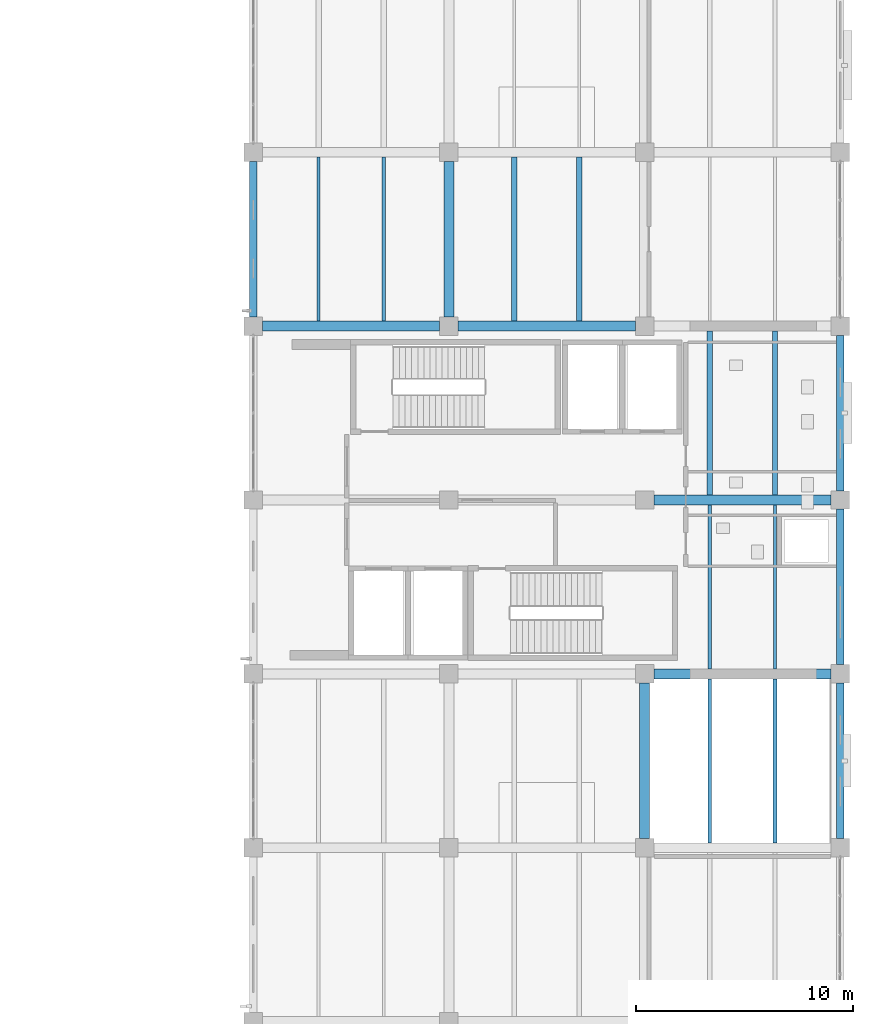
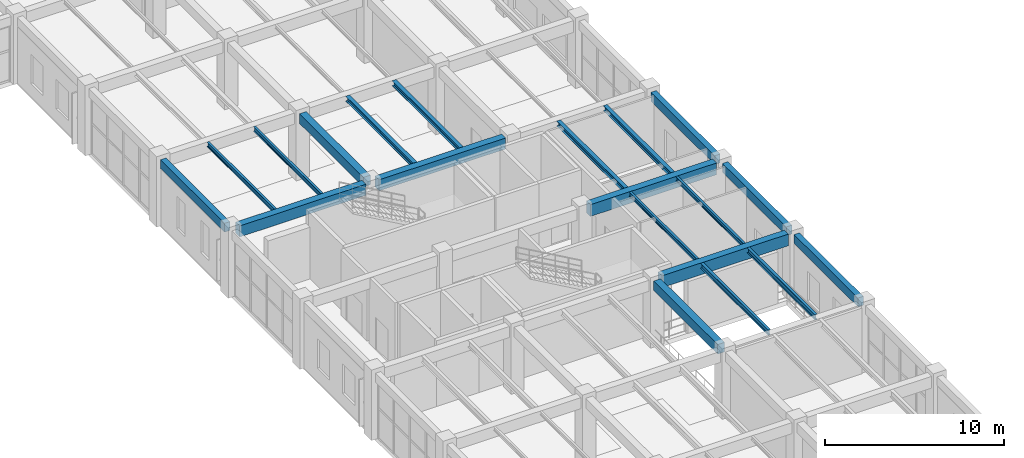
# One storey, part 125 of 178: 20 beams.
"""IFC4 building model written with IfcOpenShell, lengths in metres."""

from ifc_helpers import new_model, si_unit, derived_unit, direction, frame, origin, origin_2d, place, context, subcontext, project, spatial, rectangle, i_section, extrude, material, material_profile, profile_set, type_object, element, save


model = new_model("IFC4")

# Units and contexts
model_context = context("Model", 3, precision=1e-05, world=origin(), true_north=direction((0.0, 1.0)))
body_context = subcontext(model_context, "Body", "Model", "MODEL_VIEW")
ifc_project = project(units=[si_unit("LENGTHUNIT", "METRE"), si_unit("AREAUNIT", "SQUARE_METRE"), si_unit("VOLUMEUNIT", "CUBIC_METRE"), si_unit("PLANEANGLEUNIT", "RADIAN"), si_unit("MASSUNIT", "GRAM", prefix="KILO"), derived_unit("THERMALTRANSMITTANCEUNIT", [(si_unit("MASSUNIT", "GRAM", prefix="KILO"), 1), (si_unit("TIMEUNIT", "SECOND"), -3), (si_unit("THERMODYNAMICTEMPERATUREUNIT", "KELVIN"), -1)])], contexts=[model_context])

# Site, building, storey
site_placement = place(None, origin())
site = spatial("IfcSite", under=ifc_project, at=site_placement, CompositionType="ELEMENT")
building_placement = place(site_placement, origin())
building = spatial("IfcBuilding", under=site, at=building_placement, Name="Zhenchuan Archway Interchange", CompositionType="ELEMENT")
storey_placement = place(building_placement, frame((0.0, 0.0, 5.39990234375)))
storey = spatial("IfcBuildingStorey", under=building, at=storey_placement, Name="L01", CompositionType="ELEMENT", Elevation=5.39990234375)

# Beams
ifc_material_1 = material(Name="Concrete C40", Category="concrete")
ifc_material_profile_1 = material_profile(ifc_material_1, rectangle(XDim=0.449951171875, YDim=0.64990234375, at=origin_2d()), Name="RC 450x650")
ifc_profile_set_1 = profile_set([ifc_material_profile_1], Name="Concrete C40")
beam_type_1 = type_object("IfcBeamType", Name="BM_RC_450x650", PredefinedType="BEAM", material=ifc_profile_set_1)
for number, where, z_axis, x_axis, name in (
    (1, (153.0, 64.425048828125, 4.18505859375), (0.0, 1.0, 0.0), (-1.0, 0.0, 0.0), "Beam 18:J-K (L01)"),
    (2, (162.0, 40.425048828125, 4.18505859375), (0.0, 1.0, 0.0), (-1.0, 0.0, 0.0), "Beam 19:F-G (L01)"),
):
    element("IfcBeam", number, at=place(storey_placement, frame(where, z_axis=z_axis, x_axis=x_axis)), inside=storey, type_object=beam_type_1, Name=name, PredefinedType="BEAM", context=body_context, shape_type="SweptSolid", body=[
        extrude(rectangle(XDim=0.449951171875, YDim=0.64990234375, at=origin_2d()), origin(), (0.0, 0.0, 1.0), 7.14990234375),
    ])
ifc_material_profile_2 = material_profile(ifc_material_1, rectangle(XDim=0.449951171875, YDim=0.75, at=origin_2d()), Name="RC 450x750")
ifc_profile_set_2 = profile_set([ifc_material_profile_2], Name="Concrete C40")
beam_type_2 = type_object("IfcBeamType", Name="BM_RC_450x750", PredefinedType="BEAM", material=ifc_profile_set_2)
for number, where, z_axis, x_axis, name in (
    (3, (144.425048828125, 64.0, 4.135009765625), (1.0, 0.0, 0.0), (0.0, 1.0, 0.0), "Beam J:17-18 (L01)"),
    (4, (153.425048828125, 64.0, 4.135009765625), (1.0, 0.0, 0.0), (0.0, 1.0, 0.0), "Beam J:18-19 (L01)"),
):
    element("IfcBeam", number, at=place(storey_placement, frame(where, z_axis=z_axis, x_axis=x_axis)), inside=storey, type_object=beam_type_2, Name=name, PredefinedType="BEAM", context=body_context, shape_type="SweptSolid", body=[
        extrude(rectangle(XDim=0.449951171875, YDim=0.75, at=origin_2d()), origin(), (0.0, 0.0, 1.0), 8.14990234375),
    ])
ifc_material_profile_3 = material_profile(ifc_material_1, rectangle(XDim=0.449951171875, YDim=0.800048828125, at=origin_2d()), Name="RC 450x800")
ifc_profile_set_3 = profile_set([ifc_material_profile_3], Name="Concrete C40")
beam_type_3 = type_object("IfcBeamType", Name="BM_RC_450x800", PredefinedType="BEAM", material=ifc_profile_set_3)
for number, where, z_axis, x_axis, name in (
    (5, (162.425048828125, 48.0, 4.110107421875), (1.0, 0.0, 0.0), (0.0, 1.0, 0.0), "Beam G:19-20 (L01)"),
    (6, (162.425048828125, 56.0, 4.110107421875), (1.0, 0.0, 0.0), (0.0, 1.0, 0.0), "Beam H:19-20 (L01)"),
):
    element("IfcBeam", number, at=place(storey_placement, frame(where, z_axis=z_axis, x_axis=x_axis)), inside=storey, type_object=beam_type_3, Name=name, PredefinedType="BEAM", context=body_context, shape_type="SweptSolid", body=[
        extrude(rectangle(XDim=0.449951171875, YDim=0.800048828125, at=origin_2d()), origin(), (0.0, 0.0, 1.0), 8.14990234375),
    ])
ifc_material_2 = material(Name="Steel Q355", Category="steel")
ifc_material_profile_4 = material_profile(ifc_material_2, i_section(OverallWidth=0.25, OverallDepth=0.340087890625, WebThickness=0.009033203125, FlangeThickness=0.013916015625, FilletRadius=0.01806640625, at=origin_2d()), Name="HM 340x250")
ifc_profile_set_4 = profile_set([ifc_material_profile_4], Name="Steel Q355")
beam_type_4 = type_object("IfcBeamType", Name="JST_STL_HM340", PredefinedType="JOIST", material=ifc_profile_set_4)
for number, where, z_axis, x_axis, name in (
    (7, (156.0, 64.22509765625, 4.340087890625), (0.0, 1.0, 0.0), (-1.0, 0.0, 0.0), "Secondary joist 18-19/J-K #1 (L01)"),
    (8, (159.0, 64.22509765625, 4.340087890625), (0.0, 1.0, 0.0), (-1.0, 0.0, 0.0), "Secondary joist 18-19/J-K #2 (L01)"),
    (9, (165.0, 56.22509765625, 4.340087890625), (0.0, 1.0, 0.0), (-1.0, 0.0, 0.0), "Secondary joist 19-20/H-J #1 (L01)"),
    (10, (168.0, 56.22509765625, 4.340087890625), (0.0, 1.0, 0.0), (-1.0, 0.0, 0.0), "Secondary joist 19-20/H-J #2 (L01)"),
):
    element("IfcBeam", number, at=place(storey_placement, frame(where, z_axis=z_axis, x_axis=x_axis)), inside=storey, type_object=beam_type_4, Name=name, PredefinedType="JOIST", context=body_context, shape_type="SweptSolid", body=[
        extrude(i_section(OverallWidth=0.25, OverallDepth=0.340087890625, WebThickness=0.009033203125, FlangeThickness=0.013916015625, FilletRadius=0.01806640625, at=origin_2d()), origin(), (0.0, 0.0, 1.0), 7.5498046875),
    ])
ifc_material_profile_5 = material_profile(ifc_material_2, i_section(OverallWidth=0.14990234375, OverallDepth=0.300048828125, WebThickness=0.006591796875, FlangeThickness=0.009033203125, FilletRadius=0.012939453125, at=origin_2d()), Name="HN 300x150")
ifc_profile_set_5 = profile_set([ifc_material_profile_5], Name="Steel Q355")
beam_type_5 = type_object("IfcBeamType", Name="JST_STL_HN300", PredefinedType="JOIST", material=ifc_profile_set_5)
for number, where, z_axis, x_axis, name in (
    (11, (147.0, 64.22509765625, 4.360107421875), (0.0, 1.0, 0.0), (-1.0, 0.0, 0.0), "Secondary joist 17-18/J-K #1 (L01)"),
    (12, (150.0, 64.22509765625, 4.360107421875), (0.0, 1.0, 0.0), (-1.0, 0.0, 0.0), "Secondary joist 17-18/J-K #2 (L01)"),
    (13, (165.0, 48.22509765625, 4.360107421875), (0.0, 1.0, 0.0), (-1.0, 0.0, 0.0), "Secondary joist 19-20/G-H #1 (L01)"),
    (14, (168.0, 48.22509765625, 4.360107421875), (0.0, 1.0, 0.0), (-1.0, 0.0, 0.0), "Secondary joist 19-20/G-H #2 (L01)"),
):
    element("IfcBeam", number, at=place(storey_placement, frame(where, z_axis=z_axis, x_axis=x_axis)), inside=storey, type_object=beam_type_5, Name=name, PredefinedType="JOIST", context=body_context, shape_type="SweptSolid", body=[
        extrude(i_section(OverallWidth=0.14990234375, OverallDepth=0.300048828125, WebThickness=0.006591796875, FlangeThickness=0.009033203125, FilletRadius=0.012939453125, at=origin_2d()), origin(), (0.0, 0.0, 1.0), 7.5498046875),
    ])
ifc_material_profile_6 = material_profile(ifc_material_2, i_section(OverallWidth=0.175048828125, OverallDepth=0.35009765625, WebThickness=0.007080078125, FlangeThickness=0.010986328125, FilletRadius=0.013916015625, at=origin_2d()), Name="HN 350x175")
ifc_profile_set_6 = profile_set([ifc_material_profile_6], Name="Steel Q355")
beam_type_6 = type_object("IfcBeamType", Name="JST_STL_HN350", PredefinedType="JOIST", material=ifc_profile_set_6)
for number, where, z_axis, x_axis, name in (
    (15, (165.0, 40.22509765625, 4.335205078125), (0.0, 1.0, 0.0), (-1.0, 0.0, 0.0), "Secondary joist 19-20/F-G #1 (L01)"),
    (16, (168.0, 40.22509765625, 4.335205078125), (0.0, 1.0, 0.0), (-1.0, 0.0, 0.0), "Secondary joist 19-20/F-G #2 (L01)"),
):
    element("IfcBeam", number, at=place(storey_placement, frame(where, z_axis=z_axis, x_axis=x_axis)), inside=storey, type_object=beam_type_6, Name=name, PredefinedType="JOIST", context=body_context, shape_type="SweptSolid", body=[
        extrude(i_section(OverallWidth=0.175048828125, OverallDepth=0.35009765625, WebThickness=0.007080078125, FlangeThickness=0.010986328125, FilletRadius=0.013916015625, at=origin_2d()), origin(), (0.0, 0.0, 1.0), 7.5498046875),
    ])
ifc_material_profile_7 = material_profile(ifc_material_1, rectangle(XDim=0.35009765625, YDim=0.60009765625, at=origin_2d()), Name="RC 350x600")
ifc_profile_set_7 = profile_set([ifc_material_profile_7], Name="Concrete C40")
beam_type_7 = type_object("IfcBeamType", Name="SP_RC_350x600", PredefinedType="SPANDREL", material=ifc_profile_set_7)
for number, where, z_axis, x_axis, name in (
    (17, (144.0, 64.425048828125, 4.210205078125), (0.0, 1.0, 0.0), (-1.0, 0.0, 0.0), "Beam 17:J-K (L01)"),
    (18, (171.0, 40.425048828125, 4.210205078125), (0.0, 1.0, 0.0), (-1.0, 0.0, 0.0), "Beam 20:F-G (L01)"),
    (19, (171.0, 48.425048828125, 4.210205078125), (0.0, 1.0, 0.0), (-1.0, 0.0, 0.0), "Beam 20:G-H (L01)"),
    (20, (171.0, 56.425048828125, 4.210205078125), (0.0, 1.0, 0.0), (-1.0, 0.0, 0.0), "Beam 20:H-J (L01)"),
):
    element("IfcBeam", number, at=place(storey_placement, frame(where, z_axis=z_axis, x_axis=x_axis)), inside=storey, type_object=beam_type_7, Name=name, PredefinedType="SPANDREL", context=body_context, shape_type="SweptSolid", body=[
        extrude(rectangle(XDim=0.35009765625, YDim=0.60009765625, at=origin_2d()), origin(), (0.0, 0.0, 1.0), 7.14990234375),
    ])

save(model, "model.ifc")
